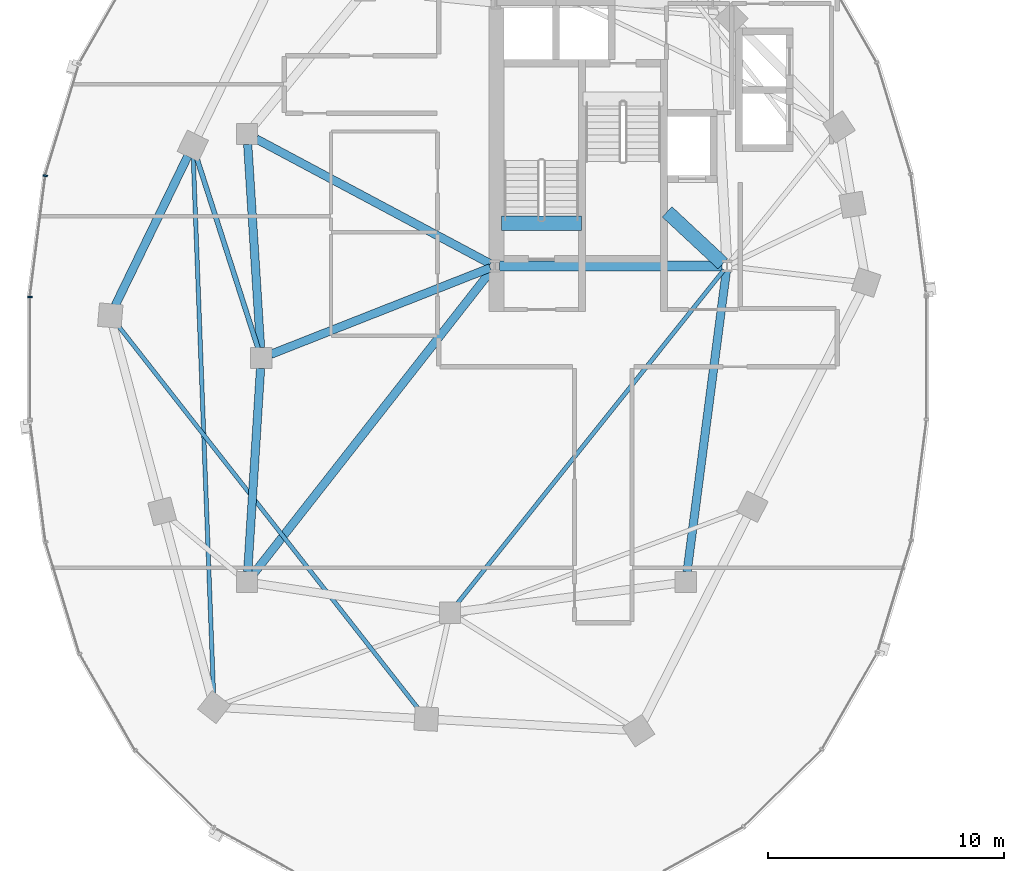
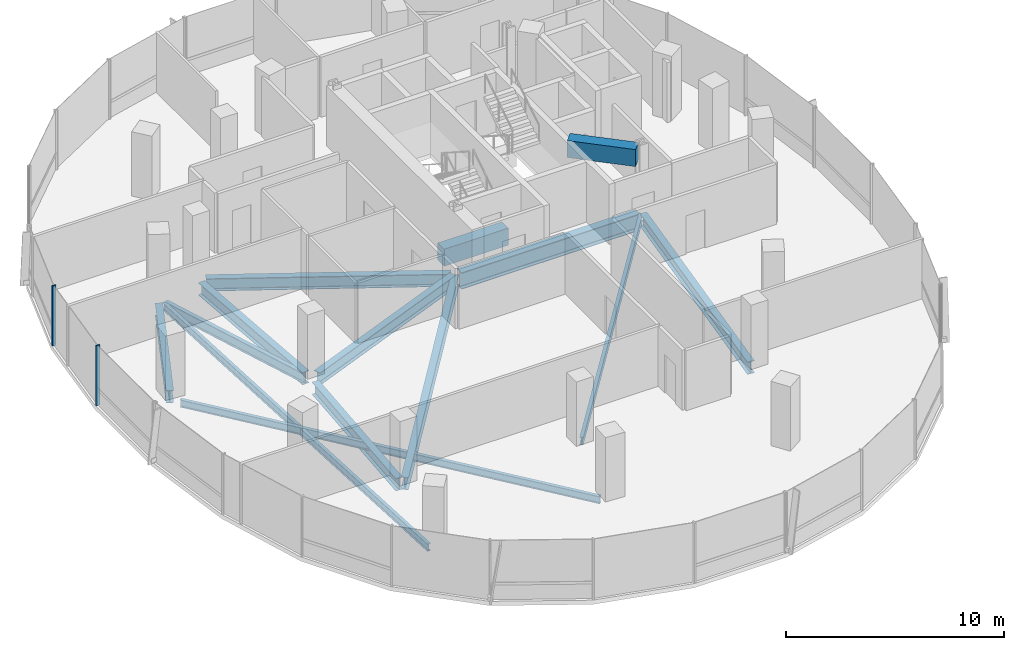
# One storey, part 3 of 22: 14 beams, 2 members, 1 element without a shape of its own.
"""IFC4 building model written with IfcOpenShell, lengths in metres."""

from ifc_helpers import new_model, si_unit, direction, frame, origin, origin_2d, place, context, subcontext, project, spatial, rectangle, i_section, extrude, material, material_profile, profile_set, type_object, element, aggregate, save


model = new_model("IFC4")

# Units and contexts
model_context = context("Model", 3, precision=1e-05, world=origin(), true_north=direction((0.0, 1.0)))
body_context = subcontext(model_context, "Body", "Model", "MODEL_VIEW")
ifc_project = project(units=[si_unit("LENGTHUNIT", "METRE"), si_unit("AREAUNIT", "SQUARE_METRE"), si_unit("VOLUMEUNIT", "CUBIC_METRE"), si_unit("PLANEANGLEUNIT", "RADIAN"), si_unit("MASSUNIT", "GRAM", prefix="KILO"), si_unit("THERMODYNAMICTEMPERATUREUNIT", "KELVIN"), si_unit("POWERUNIT", "WATT")], contexts=[model_context])

# Site, building, storey
site_placement = place(None, origin())
site = spatial("IfcSite", under=ifc_project, at=site_placement, CompositionType="ELEMENT")
building_placement = place(site_placement, origin())
building = spatial("IfcBuilding", under=site, at=building_placement, Name="Cundina Bronze Exchange", CompositionType="ELEMENT")
storey_placement = place(building_placement, frame((0.0, 0.0, 162.0)))
storey = spatial("IfcBuildingStorey", under=building, at=storey_placement, Name="L42", CompositionType="ELEMENT", Elevation=162.0)

# Beams
ifc_material_1 = material(Name="Concrete C60/75", Category="concrete")
ifc_material_profile_1 = material_profile(ifc_material_1, rectangle(XDim=0.60009765625, YDim=0.949951171875, at=origin_2d()), Name="RC600X950", Category="concrete")
ifc_profile_set_1 = profile_set([ifc_material_profile_1], Name="Concrete C60/75")
beam_type_1 = type_object("IfcBeamType", Name="BM-COUP-RC950", PredefinedType="LINTEL", material=ifc_profile_set_1)
beam_1_placement = place(storey_placement, frame((-31.02001953125, 5.719970703125, -0.47509765625), z_axis=(1.0, 0.0, 0.0), x_axis=(0.0, 1.0, 0.0)))
element("IfcBeam", 1, at=beam_1_placement, inside=storey, type_object=beam_type_1, Name="L42 Stair W1 Landing Header Beam", PredefinedType="LINTEL", context=body_context, shape_type="SweptSolid", body=[
    extrude(rectangle(XDim=0.60009765625, YDim=0.949951171875, at=origin_2d()), origin(), (0.0, 0.0, 1.0), 3.39990234375),
])
beam_2_placement = place(storey_placement, frame((-23.989990234375, 6.199951171875, 2.885009765625), z_axis=(0.731490439815, -0.681851696822, 0.0), x_axis=(0.681851696822, 0.731490439815, 0.0)))
element("IfcBeam", 2, at=beam_2_placement, inside=storey, type_object=beam_type_1, Name="L42 W Core Shear Coupling Lintel Beam", PredefinedType="LINTEL", context=body_context, shape_type="SweptSolid", body=[
    extrude(rectangle(XDim=0.60009765625, YDim=0.949951171875, at=origin_2d()), origin(), (0.0, 0.0, 1.0), 3.226318359375),
])
ifc_material_2 = material(Name="Steel ASTM A992 Grade 50", Category="steel")
ifc_material_profile_2 = material_profile(ifc_material_2, i_section(OverallWidth=0.2119140625, OverallDepth=0.5439453125, WebThickness=0.01318359375, FlangeThickness=0.021240234375, FilletRadius=0.013916015625, at=origin_2d()), Name="W21X83", Category="steel")
ifc_profile_set_2 = profile_set([ifc_material_profile_2], Name="Steel ASTM A992 Grade 50")
beam_type_2 = type_object("IfcBeamType", Name="BM-FLR-W21A", PredefinedType="BEAM", material=ifc_profile_set_2)
beam_3_placement = place(storey_placement, frame((-41.334228515625, 0.4169921875, -0.511962890625), z_axis=(-0.30669751302, 0.951807036908, 0.0), x_axis=(-0.951807036908, -0.30669751302, 0.0)))
element("IfcBeam", 3, at=beam_3_placement, inside=storey, type_object=beam_type_2, Name="L42 Leg W Radial Floor Beam 07", PredefinedType="BEAM", context=body_context, shape_type="SweptSolid", body=[
    extrude(i_section(OverallWidth=0.2119140625, OverallDepth=0.5439453125, WebThickness=0.01318359375, FlangeThickness=0.021240234375, FilletRadius=0.013916015625, at=origin_2d()), origin(), (0.0, 0.0, 1.0), 8.529541015625),
])
ifc_material_profile_3 = material_profile(ifc_material_2, i_section(OverallWidth=0.178955078125, OverallDepth=0.409912109375, WebThickness=0.0087890625, FlangeThickness=0.014404296875, FilletRadius=0.010986328125, at=origin_2d()), Name="W16X45", Category="steel")
ifc_profile_set_3 = profile_set([ifc_material_profile_3], Name="Steel ASTM A992 Grade 50")
beam_type_3 = type_object("IfcBeamType", Name="BM-JST-W16", PredefinedType="JOIST", material=ifc_profile_set_3)
beam_4_placement = place(storey_placement, frame((-21.577392578125, 3.740478515625, -0.445068359375), z_axis=(-0.624370675223, -0.781128196854, 0.0), x_axis=(0.781128196854, -0.624370675223, 0.0)))
element("IfcBeam", 4, at=beam_4_placement, inside=storey, type_object=beam_type_3, Name="L42 W Interior Core-to-Ring Joist 2", PredefinedType="JOIST", context=body_context, shape_type="SweptSolid", body=[
    extrude(i_section(OverallWidth=0.178955078125, OverallDepth=0.409912109375, WebThickness=0.0087890625, FlangeThickness=0.014404296875, FilletRadius=0.010986328125, at=origin_2d()), origin(), (0.0, 0.0, 1.0), 18.177001953125),
])
beam_5_placement = place(storey_placement, frame((-44.08154296875, 8.51220703125, -0.445068359375), z_axis=(0.037784933381, -0.999285894431, 0.0), x_axis=(0.999285894431, 0.037784933381, 0.0)))
element("IfcBeam", 5, at=beam_5_placement, inside=storey, type_object=beam_type_3, Name="L42 Leg W Lobe Floor Joist 07-10", PredefinedType="JOIST", context=body_context, shape_type="SweptSolid", body=[
    extrude(i_section(OverallWidth=0.178955078125, OverallDepth=0.409912109375, WebThickness=0.0087890625, FlangeThickness=0.014404296875, FilletRadius=0.010986328125, at=origin_2d()), origin(), (0.0, 0.0, 1.0), 22.8408203125),
])
beam_6_placement = place(storey_placement, frame((-47.299072265625, 1.416015625, -0.445068359375), z_axis=(0.616801484103, -0.787118751656, 0.0), x_axis=(0.787118751656, 0.616801484103, 0.0)))
element("IfcBeam", 6, at=beam_6_placement, inside=storey, type_object=beam_type_3, Name="L42 Leg W Lobe Floor Joist 08-11", PredefinedType="JOIST", context=body_context, shape_type="SweptSolid", body=[
    extrude(i_section(OverallWidth=0.178955078125, OverallDepth=0.409912109375, WebThickness=0.0087890625, FlangeThickness=0.014404296875, FilletRadius=0.010986328125, at=origin_2d()), origin(), (0.0, 0.0, 1.0), 20.7490234375),
])
ifc_material_profile_4 = material_profile(ifc_material_2, i_section(OverallWidth=0.35498046875, OverallDepth=0.695068359375, WebThickness=0.015380859375, FlangeThickness=0.02490234375, FilletRadius=0.01806640625, at=origin_2d()), Name="W27X146", Category="steel")
ifc_profile_set_4 = profile_set([ifc_material_profile_4], Name="Steel ASTM A992 Grade 50")
beam_type_4 = type_object("IfcBeamType", Name="BM-RING-W27", PredefinedType="USERDEFINED", material=ifc_profile_set_4)
for number, where, z_axis, x_axis, name in (
    (7, (-41.7724609375, 9.06298828125, -0.58740234375), (0.063046519736, -0.998010589297, 0.0), (0.998010589297, 0.063046519736, 0.0), "L42 W Inner Structural Ring Girder 03"),
    (8, (-41.2275390625, -0.43701171875, -0.58740234375), (-0.063046519736, -0.998010589297, 0.0), (0.998010589297, -0.063046519736, 0.0), "L42 W Inner Structural Ring Girder 04"),
):
    element("IfcBeam", number, at=place(storey_placement, frame(where, z_axis=z_axis, x_axis=x_axis)), inside=storey, type_object=beam_type_4, Name=name, ObjectType="GIRDER", PredefinedType="USERDEFINED", context=body_context, shape_type="SweptSolid", body=[
        extrude(i_section(OverallWidth=0.35498046875, OverallDepth=0.695068359375, WebThickness=0.015380859375, FlangeThickness=0.02490234375, FilletRadius=0.01806640625, at=origin_2d()), origin(), (0.0, 0.0, 1.0), 8.64306640625),
    ])
beam_7_placement = place(storey_placement, frame((-23.143310546875, -9.065673828125, -0.58740234375), z_axis=(0.129507030047, 0.991578503785, 0.0), x_axis=(-0.991578503785, 0.129507030047, 0.0)))
element("IfcBeam", 9, at=beam_7_placement, inside=storey, type_object=beam_type_4, Name="L42 W Inner Structural Ring Girder 07", ObjectType="GIRDER", PredefinedType="USERDEFINED", context=body_context, shape_type="SweptSolid", body=[
    extrude(i_section(OverallWidth=0.35498046875, OverallDepth=0.695068359375, WebThickness=0.015380859375, FlangeThickness=0.02490234375, FilletRadius=0.01806640625, at=origin_2d()), origin(), (0.0, 0.0, 1.0), 12.871826171875),
])
beam_8_placement = place(storey_placement, frame((-31.48974609375, 3.8251953125, -0.58740234375), z_axis=(-0.930405617189, -0.36653156413, 0.0), x_axis=(0.36653156413, -0.930405617189, 0.0)))
element("IfcBeam", 10, at=beam_8_placement, inside=storey, type_object=beam_type_4, Name="L42 W Core-to-Waist Tie Beam 1", ObjectType="GIRDER", PredefinedType="USERDEFINED", context=body_context, shape_type="SweptSolid", body=[
    extrude(i_section(OverallWidth=0.35498046875, OverallDepth=0.695068359375, WebThickness=0.015380859375, FlangeThickness=0.02490234375, FilletRadius=0.01806640625, at=origin_2d()), origin(), (0.0, 0.0, 1.0), 9.99853515625),
])
beam_9_placement = place(storey_placement, frame((-31.47998046875, 3.99609375, -0.58740234375), z_axis=(-0.88235534237, 0.470583733028, 0.0), x_axis=(-0.470583733028, -0.88235534237, 0.0)))
element("IfcBeam", 11, at=beam_9_placement, inside=storey, type_object=beam_type_4, Name="L42 W Core-to-Waist Tie Beam 2", ObjectType="GIRDER", PredefinedType="USERDEFINED", context=body_context, shape_type="SweptSolid", body=[
    extrude(i_section(OverallWidth=0.35498046875, OverallDepth=0.695068359375, WebThickness=0.015380859375, FlangeThickness=0.02490234375, FilletRadius=0.01806640625, at=origin_2d()), origin(), (0.0, 0.0, 1.0), 11.258056640625),
])
beam_10_placement = place(storey_placement, frame((-31.42578125, 3.739501953125, -0.58740234375), z_axis=(-0.616779109924, -0.787136283982, 0.0), x_axis=(0.787136283982, -0.616779109924, 0.0)))
element("IfcBeam", 12, at=beam_10_placement, inside=storey, type_object=beam_type_4, Name="L42 W Core-to-Waist Tie Beam 3", ObjectType="GIRDER", PredefinedType="USERDEFINED", context=body_context, shape_type="SweptSolid", body=[
    extrude(i_section(OverallWidth=0.35498046875, OverallDepth=0.695068359375, WebThickness=0.015380859375, FlangeThickness=0.02490234375, FilletRadius=0.01806640625, at=origin_2d()), origin(), (0.0, 0.0, 1.0), 16.3818359375),
])
beam_11_placement = place(storey_placement, frame((-44.3134765625, 8.56103515625, -0.58740234375), z_axis=(-0.437196998825, -0.89936576776, 0.0), x_axis=(0.89936576776, -0.437196998825, 0.0)))
element("IfcBeam", 13, at=beam_11_placement, inside=storey, type_object=beam_type_4, Name="L42 W Perimeter Ring Girder 07", ObjectType="GIRDER", PredefinedType="USERDEFINED", context=body_context, shape_type="SweptSolid", body=[
    extrude(i_section(OverallWidth=0.35498046875, OverallDepth=0.695068359375, WebThickness=0.015380859375, FlangeThickness=0.02490234375, FilletRadius=0.01806640625, at=origin_2d()), origin(), (0.0, 0.0, 1.0), 7.029541015625),
])
ifc_material_profile_5 = material_profile(ifc_material_2, i_section(OverallWidth=0.41796875, OverallDepth=0.927001953125, WebThickness=0.019287109375, FlangeThickness=0.031982421875, FilletRadius=0.02392578125, at=origin_2d()), Name="W36X231", Category="steel")
ifc_profile_set_5 = profile_set([ifc_material_profile_5], Name="Steel ASTM A992 Grade 50")
beam_type_5 = type_object("IfcBeamType", Name="BM-WRN-W36B", PredefinedType="USERDEFINED", material=ifc_profile_set_5)
beam_12_placement = place(storey_placement, frame((-31.095947265625, 3.89990234375, -0.70361328125), z_axis=(1.0, 0.0, 0.0), x_axis=(0.0, 1.0, 0.0)))
element("IfcBeam", 14, at=beam_12_placement, inside=storey, type_object=beam_type_5, Name="L42 W Core Perimeter Tie Girder 1", ObjectType="GIRDER", PredefinedType="USERDEFINED", context=body_context, shape_type="SweptSolid", body=[
    extrude(i_section(OverallWidth=0.41796875, OverallDepth=0.927001953125, WebThickness=0.019287109375, FlangeThickness=0.031982421875, FilletRadius=0.02392578125, at=origin_2d()), origin(), (0.0, 0.0, 1.0), 9.44189453125),
])

# Curtain wall, members
ifc_material_3 = material(Name="Anodised Bronze Aluminium 6063-T6", Category="aluminium")
curtain_wall_type = type_object("IfcCurtainWallType", Name="CWS-WST-PIN", PredefinedType="NOTDEFINED", material=ifc_material_3)
curtain_wall_placement = place(storey_placement, origin())
curtain_wall = element("IfcCurtainWall", 15, at=curtain_wall_placement, inside=storey, type_object=curtain_wall_type, Name="L42 CW-04 Curtain Wall Run CWR-L42-W2", PredefinedType="NOTDEFINED")
ifc_material_profile_6 = material_profile(ifc_material_3, rectangle(XDim=0.070068359375, YDim=0.18994140625, at=origin_2d()), Name="AL70X190", Category="aluminium")
ifc_profile_set_6 = profile_set([ifc_material_profile_6], Name="Anodised Bronze Aluminium 6063-T6")
member_type = type_object("IfcMemberType", Name="CWM-MUL-190", PredefinedType="MULLION", material=ifc_profile_set_6)
member_1_placement = place(storey_placement, frame((-50.357177734375, 7.731689453125, 0.0), z_axis=(0.0, 0.0, 1.0), x_axis=(-0.126545236492, -0.991960837494, 0.0)))
member_1 = element("IfcMember", 16, at=member_1_placement, type_object=member_type, Name="CW-04 Mullion 6", PredefinedType="MULLION", context=body_context, shape_type="SweptSolid", body=[
    extrude(rectangle(XDim=0.070068359375, YDim=0.18994140625, at=origin_2d()), origin(), (0.0, 0.0, 1.0), 3.360107421875),
])
member_2_placement = place(storey_placement, frame((-51.007080078125, 2.593017578125, 0.0), z_axis=(0.0, 0.0, 1.0), x_axis=(0.0, -1.0, 0.0)))
member_2 = element("IfcMember", 17, at=member_2_placement, type_object=member_type, Name="CW-04 Mullion 7", PredefinedType="MULLION", context=body_context, shape_type="SweptSolid", body=[
    extrude(rectangle(XDim=0.070068359375, YDim=0.18994140625, at=origin_2d()), origin(), (0.0, 0.0, 1.0), 3.360107421875),
])
aggregate(curtain_wall, [member_1, member_2])

save(model, "model.ifc")
